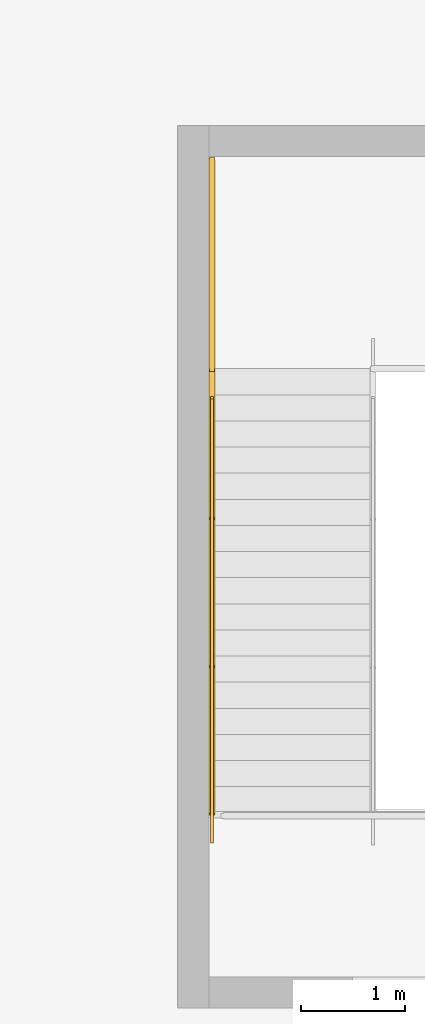
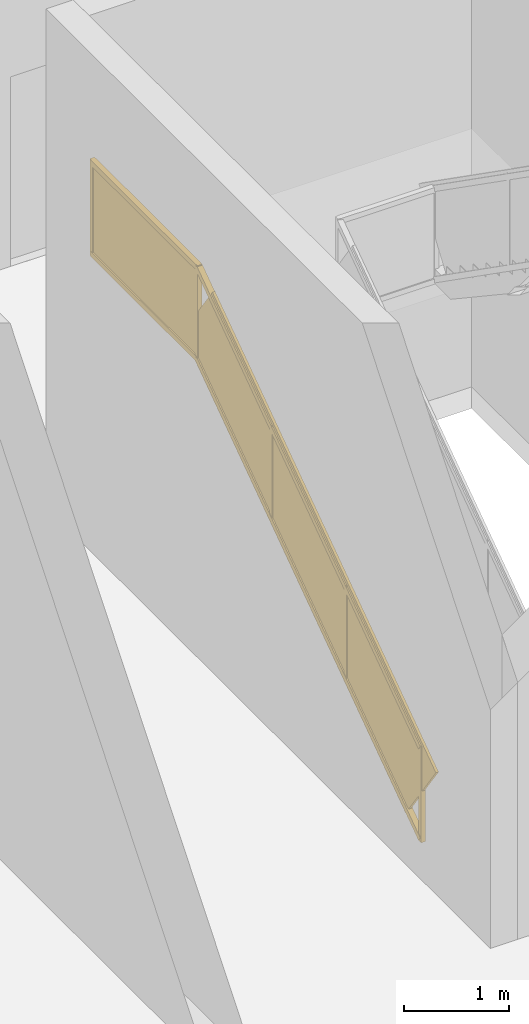
# One storey, part 73 of 73: 1 railing.
"""IFC4 building model written with IfcOpenShell, lengths in metres."""

import ifcopenshell
import ifcopenshell.guid

model = None  # the IFC model being written
_history = None  # IfcOwnerHistory: only IFC2X3 demands one
_inside = {}  # id of a spatial element -> (the spatial element, [elements in it])
_under = {}  # id of a project, library or spatial element -> (it, [spatial elements below it])
_declared = {}  # id of a project -> (the project, [libraries it declares])
_typed = {}  # id of a type object -> (the type object, [elements of that type])
_made_of = {}  # id of a material, layer set ... -> (it, [elements and type objects made of it])


def new_model(schema):
    """Start an empty IFC model of exactly this schema.

    Asked for "IFC4X3", IfcOpenShell would pick the latest addendum, in which some entities
    have other attributes; the version numbers below select the first issue.
    IFC2X3 requires an IfcOwnerHistory on every rooted entity: one is made here for all.
    """
    global model, _history
    if schema == "IFC4X3":
        model = ifcopenshell.file(schema_version=(4, 3, 0, 0))
    else:
        model = ifcopenshell.file(schema=schema)
    _inside.clear()
    _under.clear()
    _declared.clear()
    _typed.clear()
    _made_of.clear()
    _history = None
    if model.schema == "IFC2X3":
        org = make("IfcOrganization", Name="unknown")
        user = make(
            "IfcPersonAndOrganization",
            ThePerson=make("IfcPerson", FamilyName="unknown"),
            TheOrganization=org,
        )
        app = make(
            "IfcApplication",
            ApplicationDeveloper=org,
            Version="unknown",
            ApplicationFullName="unknown",
            ApplicationIdentifier="unknown",
        )
        _history = make(
            "IfcOwnerHistory",
            OwningUser=user,
            OwningApplication=app,
            ChangeAction="ADDED",
            CreationDate=0,
        )
    return model


def make(cls, **values):
    """One entity of the class cls with the attributes given. An attribute that is None is left unset."""
    return model.create_entity(
        cls, **{name: value for name, value in values.items() if value is not None}
    )


def rooted(cls, **values):
    """An entity with a GlobalId (a new one), such as an element, a storey or a relation."""
    return make(cls, GlobalId=ifcopenshell.guid.new(), OwnerHistory=_history, **values)


def si_unit(unit_type, name, prefix=None):
    """IfcSIUnit, for example si_unit("LENGTHUNIT", "METRE", prefix="MILLI")."""
    return make("IfcSIUnit", UnitType=unit_type, Prefix=prefix, Name=name)


def assignment(units):
    """IfcUnitAssignment: the units of a project."""
    return None if units is None else make("IfcUnitAssignment", Units=units)


def point(xyz):
    """IfcCartesianPoint."""
    return None if xyz is None else make("IfcCartesianPoint", Coordinates=xyz)


def direction(xyz):
    """IfcDirection."""
    return None if xyz is None else make("IfcDirection", DirectionRatios=xyz)


def frame(location, z_axis=None, x_axis=None):
    """IfcAxis2Placement3D, a coordinate frame: its origin and axes. An axis left out is left unset."""
    return make(
        "IfcAxis2Placement3D",
        Location=point(location),
        Axis=direction(z_axis),
        RefDirection=direction(x_axis),
    )


def frame_2d(location, x_axis=None):
    """IfcAxis2Placement2D, a coordinate frame in the plane: its origin and x axis."""
    return make(
        "IfcAxis2Placement2D", Location=point(location), RefDirection=direction(x_axis)
    )


def origin():
    """The frame at (0, 0, 0) with its axes left unset."""
    return frame((0.0, 0.0, 0.0))


def origin_2d():
    """The frame at (0, 0) in the plane with its x axis left unset."""
    return frame_2d((0.0, 0.0))


def place(relative_to, where):
    """IfcLocalPlacement: puts the frame where relative to a parent placement (None: the world)."""
    return make(
        "IfcLocalPlacement", PlacementRelTo=relative_to, RelativePlacement=where
    )


def context(
    kind, dimensions, precision=None, world=None, true_north=None, identifier=None
):
    """IfcGeometricRepresentationContext, for example the 3D "Model" context."""
    return make(
        "IfcGeometricRepresentationContext",
        ContextIdentifier=identifier,
        ContextType=kind,
        CoordinateSpaceDimension=dimensions,
        Precision=precision,
        WorldCoordinateSystem=world,
        TrueNorth=true_north,
    )


def subcontext(parent, identifier, kind, view, scale=None):
    """IfcGeometricRepresentationSubContext, for example "Body" below "Model"."""
    return make(
        "IfcGeometricRepresentationSubContext",
        ContextIdentifier=identifier,
        ContextType=kind,
        ParentContext=parent,
        TargetScale=scale,
        TargetView=view,
    )


def project(units=None, contexts=None):
    """IfcProject with its units and contexts."""
    return rooted(
        "IfcProject",
        Name="project",
        RepresentationContexts=contexts,
        UnitsInContext=assignment(units),
    )


def spatial(cls, under=None, at=None, **own):
    """A site, building, storey or space (cls), placed at a placement, below another one or the project."""
    s = rooted(cls, ObjectPlacement=at, **own)
    if under is not None:
        _under.setdefault(under.id(), (under, []))[1].append(s)
    return s


def profile(cls, at=None, kind="AREA", **sizes):
    """A parametric profile (cls). Its sizes go by their IFC names, for example OverallWidth=200.0."""
    return make(cls, ProfileType=kind, Position=at, **sizes)


def rectangle(**sizes):
    """IfcRectangleProfileDef."""
    return profile("IfcRectangleProfileDef", **sizes)


def extrude(swept, where, along, depth):
    """IfcExtrudedAreaSolid: the profile swept, set in the frame where, extruded along a direction by depth."""
    return make(
        "IfcExtrudedAreaSolid",
        SweptArea=swept,
        Position=where,
        ExtrudedDirection=direction(along),
        Depth=depth,
    )


def shape(context_of_items, identifier, shape_type, items):
    """IfcShapeRepresentation: the items that make up one representation, for example the "Body"."""
    return make(
        "IfcShapeRepresentation",
        ContextOfItems=context_of_items,
        RepresentationIdentifier=identifier,
        RepresentationType=shape_type,
        Items=items,
    )


def material(Name=None, Category=None):
    """IfcMaterial."""
    return make("IfcMaterial", Name=Name, Category=Category)


def made_of(thing, what):
    """Note that an element or type object is made of a material, layer set ...; save() writes the relation."""
    if what is not None:
        _made_of.setdefault(what.id(), (what, []))[1].append(thing)
    return thing


def type_object(cls, material=None, **own):
    """A type object (cls), such as IfcWallType, which elements share."""
    return made_of(rooted(cls, **own), material)


def element(
    cls,
    number,
    at=None,
    inside=None,
    cuts=None,
    type_object=None,
    material=None,
    context=None,
    identifier="Body",
    shape_type=None,
    held_by="IfcProductDefinitionShape",
    body=None,
    shapes=None,
    **own,
):
    """One element of the class cls, such as IfcWall. Its Tag is "e" and its number.

    at: its placement. inside: the storey or other place that contains it. cuts: it is an
    opening in that element (IfcRelVoidsElement). A single representation is given by context,
    identifier, shape_type and body (its items); several are given by shapes. held_by: the class
    of the entity that holds the representations. save() writes the other relations.
    """
    e = rooted(cls, Tag="e%d" % number, ObjectPlacement=at, **own)
    if body is not None:
        shapes = [shape(context, identifier, shape_type, body)]
    if shapes is not None:
        e.Representation = make(held_by, Representations=shapes)
    if inside is not None:
        _inside.setdefault(inside.id(), (inside, []))[1].append(e)
    if cuts is not None:
        rooted(
            "IfcRelVoidsElement", RelatingBuildingElement=cuts, RelatedOpeningElement=e
        )
    if type_object is not None:
        _typed.setdefault(type_object.id(), (type_object, []))[1].append(e)
    return made_of(e, material)


def aggregate(whole, parts):
    """IfcRelAggregates: a whole, such as a stair, and the parts it consists of."""
    return rooted("IfcRelAggregates", RelatingObject=whole, RelatedObjects=parts)


def save(model, path):
    """Write the relations noted so far, then the file.

    IfcRelAggregates (storeys below a building ...), IfcRelContainedInSpatialStructure (elements
    in a storey), IfcRelDefinesByType, IfcRelAssociatesMaterial and IfcRelDeclares: one each for
    every whole, place, type object, material and project.
    """
    for whole, parts in _under.values():
        aggregate(whole, parts)
    for where, things in _inside.values():
        rooted(
            "IfcRelContainedInSpatialStructure",
            RelatedElements=things,
            RelatingStructure=where,
        )
    for kind, things in _typed.values():
        rooted("IfcRelDefinesByType", RelatedObjects=things, RelatingType=kind)
    for what, things in _made_of.values():
        rooted("IfcRelAssociatesMaterial", RelatedObjects=things, RelatingMaterial=what)
    for by, libraries in _declared.values():
        rooted("IfcRelDeclares", RelatingContext=by, RelatedDefinitions=libraries)
    model.write(path)


model = new_model("IFC4")

# Units and contexts
model_context = context("Model", 3, precision=1e-05, world=origin(), true_north=direction((0.0, 1.0)))
body_context = subcontext(model_context, "Body", "Model", "MODEL_VIEW")
ifc_project = project(units=[si_unit("LENGTHUNIT", "METRE"), si_unit("AREAUNIT", "SQUARE_METRE"), si_unit("VOLUMEUNIT", "CUBIC_METRE"), si_unit("PLANEANGLEUNIT", "RADIAN"), si_unit("MASSUNIT", "GRAM", prefix="KILO")], contexts=[model_context])

# Site, building, storey
site_placement = place(None, origin())
site = spatial("IfcSite", under=ifc_project, at=site_placement, CompositionType="ELEMENT")
building_placement = place(site_placement, origin())
building = spatial("IfcBuilding", under=site, at=building_placement, Name="Linyun Crest Stadium", CompositionType="ELEMENT")
storey_placement = place(building_placement, origin())
storey = spatial("IfcBuildingStorey", under=building, at=storey_placement, Name="L01", CompositionType="ELEMENT", Elevation=0.0)

# Railing
ifc_material = material(Name="Painted steel stairwell safety guard", Category="steel")
railing_type = type_object("IfcRailingType", Name="GR03", PredefinedType="GUARDRAIL", material=ifc_material)
railing_placement = place(storey_placement, frame((31.429931640625, 94.919921875, 0.0)))
element("IfcRailing", 1, at=railing_placement, inside=storey, type_object=railing_type, Name="STR-26-L01 outer guard", PredefinedType="GUARDRAIL", context=body_context, shape_type="SweptSolid", body=[
    extrude(rectangle(XDim=0.06005859375, YDim=0.06005859375, at=origin_2d()), frame((0.0, 0.0, 1.090087890625), z_axis=(0.0, 0.816967863265, 0.576683197599), x_axis=(-1.0, 0.0, 0.0)), (0.0, 0.0, 1.0), 5.2021484375),
    extrude(rectangle(XDim=0.030029296875, YDim=1.0, at=origin_2d()), frame((0.0, 0.0, 0.56005859375), z_axis=(0.0, 0.816967863265, 0.576683197599), x_axis=(-1.0, 0.0, 0.0)), (0.0, 0.0, 1.0), 5.2021484375),
    extrude(rectangle(XDim=0.06005859375, YDim=0.06005859375, at=origin_2d()), frame((0.0, 0.0, 0.030029296875), z_axis=(0.0, 0.816967863265, 0.576683197599), x_axis=(-1.0, 0.0, 0.0)), (0.0, 0.0, 1.0), 5.2021484375),
    extrude(rectangle(XDim=0.06005859375, YDim=0.06005859375, at=origin_2d()), frame((0.0, 4.25, 4.090087890625), z_axis=(0.0, 1.0, 0.0), x_axis=(-1.0, 0.0, 0.0)), (0.0, 0.0, 1.0), 2.0),
    extrude(rectangle(XDim=0.030029296875, YDim=1.0, at=origin_2d()), frame((0.0, 4.25, 3.56005859375), z_axis=(0.0, 1.0, 0.0), x_axis=(-1.0, 0.0, 0.0)), (0.0, 0.0, 1.0), 2.0),
    extrude(rectangle(XDim=0.06005859375, YDim=0.06005859375, at=origin_2d()), frame((0.0, 4.25, 3.030029296875), z_axis=(0.0, 1.0, 0.0), x_axis=(-1.0, 0.0, 0.0)), (0.0, 0.0, 1.0), 2.0),
    extrude(rectangle(XDim=0.050048828125, YDim=0.050048828125, at=origin_2d()), origin(), (0.0, 0.0, 1.0), 1.1201171875),
    extrude(rectangle(XDim=0.050048828125, YDim=0.050048828125, at=origin_2d()), frame((0.0, 1.416748046875, 1.0)), (0.0, 0.0, 1.0), 1.1201171875),
    extrude(rectangle(XDim=0.050048828125, YDim=0.050048828125, at=origin_2d()), frame((0.0, 2.833251953125, 2.0)), (0.0, 0.0, 1.0), 1.1201171875),
    extrude(rectangle(XDim=0.050048828125, YDim=0.050048828125, at=origin_2d()), frame((0.0, 4.25, 3.0)), (0.0, 0.0, 1.0), 1.1201171875),
    extrude(rectangle(XDim=0.050048828125, YDim=0.050048828125, at=origin_2d()), frame((0.0, 6.25, 3.0)), (0.0, 0.0, 1.0), 1.1201171875),
])

save(model, "model.ifc")
